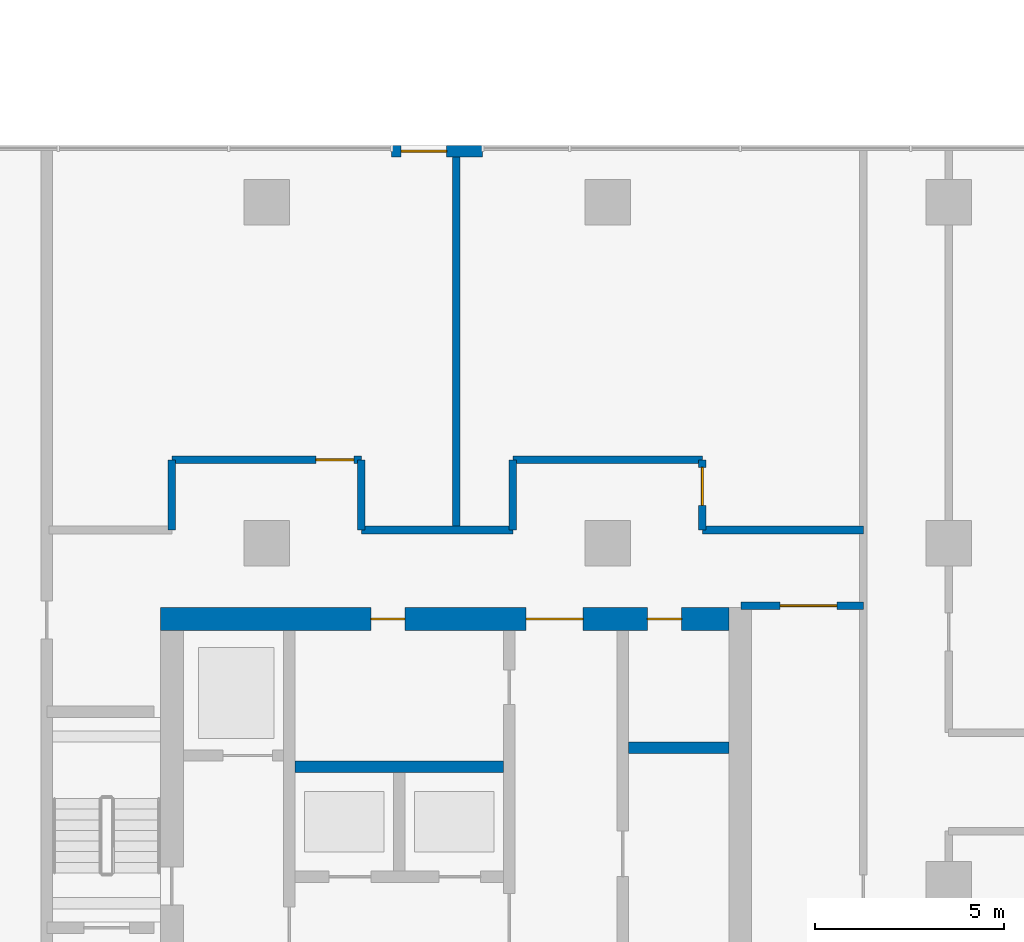
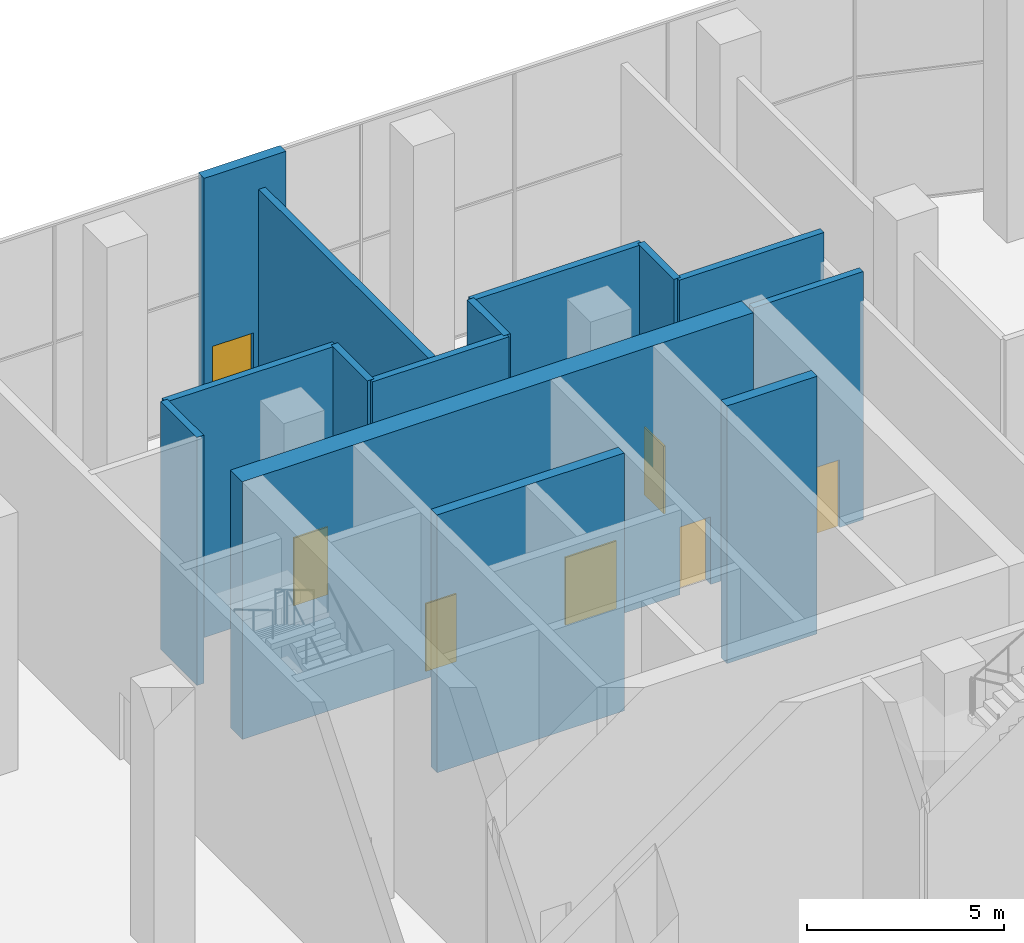
# One storey, part 34 of 54: 14 walls, 7 doors, 7 openings.
"""IFC4 building model written with IfcOpenShell, lengths in metres."""

import ifcopenshell
import ifcopenshell.guid

model = None  # the IFC model being written
_history = None  # IfcOwnerHistory: only IFC2X3 demands one
_inside = {}  # id of a spatial element -> (the spatial element, [elements in it])
_under = {}  # id of a project, library or spatial element -> (it, [spatial elements below it])
_declared = {}  # id of a project -> (the project, [libraries it declares])
_typed = {}  # id of a type object -> (the type object, [elements of that type])
_made_of = {}  # id of a material, layer set ... -> (it, [elements and type objects made of it])


def new_model(schema):
    """Start an empty IFC model of exactly this schema.

    Asked for "IFC4X3", IfcOpenShell would pick the latest addendum, in which some entities
    have other attributes; the version numbers below select the first issue.
    IFC2X3 requires an IfcOwnerHistory on every rooted entity: one is made here for all.
    """
    global model, _history
    if schema == "IFC4X3":
        model = ifcopenshell.file(schema_version=(4, 3, 0, 0))
    else:
        model = ifcopenshell.file(schema=schema)
    _inside.clear()
    _under.clear()
    _declared.clear()
    _typed.clear()
    _made_of.clear()
    _history = None
    if model.schema == "IFC2X3":
        org = make("IfcOrganization", Name="unknown")
        user = make(
            "IfcPersonAndOrganization",
            ThePerson=make("IfcPerson", FamilyName="unknown"),
            TheOrganization=org,
        )
        app = make(
            "IfcApplication",
            ApplicationDeveloper=org,
            Version="unknown",
            ApplicationFullName="unknown",
            ApplicationIdentifier="unknown",
        )
        _history = make(
            "IfcOwnerHistory",
            OwningUser=user,
            OwningApplication=app,
            ChangeAction="ADDED",
            CreationDate=0,
        )
    return model


def make(cls, **values):
    """One entity of the class cls with the attributes given. An attribute that is None is left unset."""
    return model.create_entity(
        cls, **{name: value for name, value in values.items() if value is not None}
    )


def rooted(cls, **values):
    """An entity with a GlobalId (a new one), such as an element, a storey or a relation."""
    return make(cls, GlobalId=ifcopenshell.guid.new(), OwnerHistory=_history, **values)


def si_unit(unit_type, name, prefix=None):
    """IfcSIUnit, for example si_unit("LENGTHUNIT", "METRE", prefix="MILLI")."""
    return make("IfcSIUnit", UnitType=unit_type, Prefix=prefix, Name=name)


def assignment(units):
    """IfcUnitAssignment: the units of a project."""
    return None if units is None else make("IfcUnitAssignment", Units=units)


def point(xyz):
    """IfcCartesianPoint."""
    return None if xyz is None else make("IfcCartesianPoint", Coordinates=xyz)


def direction(xyz):
    """IfcDirection."""
    return None if xyz is None else make("IfcDirection", DirectionRatios=xyz)


def frame(location, z_axis=None, x_axis=None):
    """IfcAxis2Placement3D, a coordinate frame: its origin and axes. An axis left out is left unset."""
    return make(
        "IfcAxis2Placement3D",
        Location=point(location),
        Axis=direction(z_axis),
        RefDirection=direction(x_axis),
    )


def frame_2d(location, x_axis=None):
    """IfcAxis2Placement2D, a coordinate frame in the plane: its origin and x axis."""
    return make(
        "IfcAxis2Placement2D", Location=point(location), RefDirection=direction(x_axis)
    )


def origin():
    """The frame at (0, 0, 0) with its axes left unset."""
    return frame((0.0, 0.0, 0.0))


def place(relative_to, where):
    """IfcLocalPlacement: puts the frame where relative to a parent placement (None: the world)."""
    return make(
        "IfcLocalPlacement", PlacementRelTo=relative_to, RelativePlacement=where
    )


def context(
    kind, dimensions, precision=None, world=None, true_north=None, identifier=None
):
    """IfcGeometricRepresentationContext, for example the 3D "Model" context."""
    return make(
        "IfcGeometricRepresentationContext",
        ContextIdentifier=identifier,
        ContextType=kind,
        CoordinateSpaceDimension=dimensions,
        Precision=precision,
        WorldCoordinateSystem=world,
        TrueNorth=true_north,
    )


def subcontext(parent, identifier, kind, view, scale=None):
    """IfcGeometricRepresentationSubContext, for example "Body" below "Model"."""
    return make(
        "IfcGeometricRepresentationSubContext",
        ContextIdentifier=identifier,
        ContextType=kind,
        ParentContext=parent,
        TargetScale=scale,
        TargetView=view,
    )


def project(units=None, contexts=None):
    """IfcProject with its units and contexts."""
    return rooted(
        "IfcProject",
        Name="project",
        RepresentationContexts=contexts,
        UnitsInContext=assignment(units),
    )


def spatial(cls, under=None, at=None, **own):
    """A site, building, storey or space (cls), placed at a placement, below another one or the project."""
    s = rooted(cls, ObjectPlacement=at, **own)
    if under is not None:
        _under.setdefault(under.id(), (under, []))[1].append(s)
    return s


def profile(cls, at=None, kind="AREA", **sizes):
    """A parametric profile (cls). Its sizes go by their IFC names, for example OverallWidth=200.0."""
    return make(cls, ProfileType=kind, Position=at, **sizes)


def rectangle(**sizes):
    """IfcRectangleProfileDef."""
    return profile("IfcRectangleProfileDef", **sizes)


def extrude(swept, where, along, depth):
    """IfcExtrudedAreaSolid: the profile swept, set in the frame where, extruded along a direction by depth."""
    return make(
        "IfcExtrudedAreaSolid",
        SweptArea=swept,
        Position=where,
        ExtrudedDirection=direction(along),
        Depth=depth,
    )


def shape(context_of_items, identifier, shape_type, items):
    """IfcShapeRepresentation: the items that make up one representation, for example the "Body"."""
    return make(
        "IfcShapeRepresentation",
        ContextOfItems=context_of_items,
        RepresentationIdentifier=identifier,
        RepresentationType=shape_type,
        Items=items,
    )


def material(Name=None, Category=None):
    """IfcMaterial."""
    return make("IfcMaterial", Name=Name, Category=Category)


def layer(
    of_material, thickness, ventilated=None, Name=None, Category=None, Priority=None
):
    """IfcMaterialLayer: one layer of a wall or slab, of a material (None: an air gap)."""
    return make(
        "IfcMaterialLayer",
        Material=of_material,
        LayerThickness=thickness,
        IsVentilated=ventilated,
        Name=Name,
        Category=Category,
        Priority=Priority,
    )


def layer_set(layers, Name=None):
    """IfcMaterialLayerSet."""
    return make("IfcMaterialLayerSet", MaterialLayers=layers, LayerSetName=Name)


def made_of(thing, what):
    """Note that an element or type object is made of a material, layer set ...; save() writes the relation."""
    if what is not None:
        _made_of.setdefault(what.id(), (what, []))[1].append(thing)
    return thing


def type_object(cls, material=None, **own):
    """A type object (cls), such as IfcWallType, which elements share."""
    return made_of(rooted(cls, **own), material)


def element(
    cls,
    number,
    at=None,
    inside=None,
    cuts=None,
    type_object=None,
    material=None,
    context=None,
    identifier="Body",
    shape_type=None,
    held_by="IfcProductDefinitionShape",
    body=None,
    shapes=None,
    **own,
):
    """One element of the class cls, such as IfcWall. Its Tag is "e" and its number.

    at: its placement. inside: the storey or other place that contains it. cuts: it is an
    opening in that element (IfcRelVoidsElement). A single representation is given by context,
    identifier, shape_type and body (its items); several are given by shapes. held_by: the class
    of the entity that holds the representations. save() writes the other relations.
    """
    e = rooted(cls, Tag="e%d" % number, ObjectPlacement=at, **own)
    if body is not None:
        shapes = [shape(context, identifier, shape_type, body)]
    if shapes is not None:
        e.Representation = make(held_by, Representations=shapes)
    if inside is not None:
        _inside.setdefault(inside.id(), (inside, []))[1].append(e)
    if cuts is not None:
        rooted(
            "IfcRelVoidsElement", RelatingBuildingElement=cuts, RelatedOpeningElement=e
        )
    if type_object is not None:
        _typed.setdefault(type_object.id(), (type_object, []))[1].append(e)
    return made_of(e, material)


def fill(opening, filler):
    """IfcRelFillsElement: the door or window that sits in an opening."""
    return rooted(
        "IfcRelFillsElement",
        RelatingOpeningElement=opening,
        RelatedBuildingElement=filler,
    )


def aggregate(whole, parts):
    """IfcRelAggregates: a whole, such as a stair, and the parts it consists of."""
    return rooted("IfcRelAggregates", RelatingObject=whole, RelatedObjects=parts)


def save(model, path):
    """Write the relations noted so far, then the file.

    IfcRelAggregates (storeys below a building ...), IfcRelContainedInSpatialStructure (elements
    in a storey), IfcRelDefinesByType, IfcRelAssociatesMaterial and IfcRelDeclares: one each for
    every whole, place, type object, material and project.
    """
    for whole, parts in _under.values():
        aggregate(whole, parts)
    for where, things in _inside.values():
        rooted(
            "IfcRelContainedInSpatialStructure",
            RelatedElements=things,
            RelatingStructure=where,
        )
    for kind, things in _typed.values():
        rooted("IfcRelDefinesByType", RelatedObjects=things, RelatingType=kind)
    for what, things in _made_of.values():
        rooted("IfcRelAssociatesMaterial", RelatedObjects=things, RelatingMaterial=what)
    for by, libraries in _declared.values():
        rooted("IfcRelDeclares", RelatingContext=by, RelatedDefinitions=libraries)
    model.write(path)


model = new_model("IFC4")

# Units and contexts
model_context = context("Model", 3, precision=1e-05, world=origin(), true_north=direction((0.0, 1.0)))
body_context = subcontext(model_context, "Body", "Model", "MODEL_VIEW")
ifc_project = project(units=[si_unit("LENGTHUNIT", "METRE"), si_unit("AREAUNIT", "SQUARE_METRE"), si_unit("VOLUMEUNIT", "CUBIC_METRE"), si_unit("PLANEANGLEUNIT", "RADIAN"), si_unit("MASSUNIT", "GRAM", prefix="KILO")], contexts=[model_context])

# Site, building, storey
site_placement = place(None, origin())
site = spatial("IfcSite", under=ifc_project, at=site_placement, CompositionType="ELEMENT")
building_placement = place(site_placement, origin())
building = spatial("IfcBuilding", under=site, at=building_placement, Name="Ogive Portal Towers", CompositionType="ELEMENT")
storey_placement = place(building_placement, origin())
storey = spatial("IfcBuildingStorey", under=building, at=storey_placement, Name="L00", CompositionType="ELEMENT", Elevation=0.0)

# Walls
ifc_material_1 = material(Name="Concrete C60/75", Category="concrete")
ifc_layer_1 = layer(ifc_material_1, 0.300048828125)
ifc_layer_set_1 = layer_set([ifc_layer_1], Name="CORE WALL 300 C60")
wall_type_1 = type_object("IfcWallType", Name="CORE WALL 300 C60", PredefinedType="SHEAR", material=ifc_layer_set_1)
wall_1_placement = place(storey_placement, frame((132.25, 33.60009765625, 0.0), z_axis=(0.0, 0.0, 1.0), x_axis=(1.0, 0.0, 0.0)))
element("IfcWall", 1, at=wall_1_placement, inside=storey, type_object=wall_type_1, Name="Tower B core wall BY3 L00", PredefinedType="SHEAR", context=body_context, shape_type="SweptSolid", body=[
    extrude(rectangle(XDim=5.5, YDim=0.300048828125, at=frame_2d((2.75, 0.0))), origin(), (0.0, 0.0, 1.0), 8.0),
])
wall_2_placement = place(storey_placement, frame((141.050048828125, 34.10009765625, 0.0), z_axis=(0.0, 0.0, 1.0), x_axis=(1.0, 0.0, 0.0)))
element("IfcWall", 2, at=wall_2_placement, inside=storey, type_object=wall_type_1, Name="Tower B core wall BY7 L00", PredefinedType="SHEAR", context=body_context, shape_type="SweptSolid", body=[
    extrude(rectangle(XDim=2.64990234375, YDim=0.300048828125, at=frame_2d((1.324951171875, 0.0))), origin(), (0.0, 0.0, 1.0), 8.0),
])

# Wall, openings, doors
ifc_layer_2 = layer(ifc_material_1, 0.60009765625)
ifc_layer_set_2 = layer_set([ifc_layer_2], Name="CORE WALL 600 C60")
wall_type_2 = type_object("IfcWallType", Name="CORE WALL 600 C60", PredefinedType="SHEAR", material=ifc_layer_set_2)
wall_3_placement = place(storey_placement, frame((128.699951171875, 37.5, 0.0), z_axis=(0.0, 0.0, 1.0), x_axis=(1.0, 0.0, 0.0)))
wall_3 = element("IfcWall", 3, at=wall_3_placement, inside=storey, type_object=wall_type_2, Name="Tower B core wall BN L00", PredefinedType="SHEAR", context=body_context, shape_type="SweptSolid", body=[
    extrude(rectangle(XDim=15.0, YDim=0.60009765625, at=frame_2d((7.5, 0.0))), origin(), (0.0, 0.0, 1.0), 8.0),
])
opening_1_placement = place(wall_3_placement, frame((9.64990234375, 0.0, 0.0)))
opening_1 = element("IfcOpeningElement", 4, at=opening_1_placement, cuts=wall_3, Name="Opening P00-049", PredefinedType="OPENING", context=body_context, shape_type="SweptSolid", body=[
    extrude(rectangle(XDim=1.5, YDim=2.10009765625, at=frame_2d((0.75, 1.050048828125))), frame((0.0, 0.31005859375, 0.0), z_axis=(0.0, -1.0, 0.0), x_axis=(1.0, 0.0, 0.0)), (0.0, 0.0, 1.0), 0.6201171875),
])
opening_2_placement = place(wall_3_placement, frame((12.85009765625, 0.0, 0.0)))
opening_2 = element("IfcOpeningElement", 5, at=opening_2_placement, cuts=wall_3, Name="Opening P00-051", PredefinedType="OPENING", context=body_context, shape_type="SweptSolid", body=[
    extrude(rectangle(XDim=0.89990234375, YDim=2.10009765625, at=frame_2d((0.449951171875, 1.050048828125))), frame((0.0, 0.31005859375, 0.0), z_axis=(0.0, -1.0, 0.0), x_axis=(1.0, 0.0, 0.0)), (0.0, 0.0, 1.0), 0.6201171875),
])
opening_3_placement = place(wall_3_placement, frame((5.550048828125, 0.0, 0.0)))
opening_3 = element("IfcOpeningElement", 6, at=opening_3_placement, cuts=wall_3, Name="Opening P00-058", PredefinedType="OPENING", context=body_context, shape_type="SweptSolid", body=[
    extrude(rectangle(XDim=0.89990234375, YDim=2.10009765625, at=frame_2d((0.449951171875, 1.050048828125))), frame((0.0, 0.31005859375, 0.0), z_axis=(0.0, -1.0, 0.0), x_axis=(1.0, 0.0, 0.0)), (0.0, 0.0, 1.0), 0.6201171875),
])
ifc_material_2 = material(Name="Steel fire door", Category="steel")
door_type_1 = type_object("IfcDoorType", Name="DT-SWING-1500x2100-FD90S", OperationType="SINGLE_SWING_LEFT", PredefinedType="DOOR", material=ifc_material_2)
door_1_placement = place(opening_1_placement, origin())
door_1 = element("IfcDoor", 7, at=door_1_placement, inside=storey, type_object=door_type_1, Name="Door P00-049", OperationType="SINGLE_SWING_RIGHT", OverallHeight=2.10009765625, OverallWidth=1.5, PredefinedType="DOOR", context=body_context, shape_type="SweptSolid", body=[
    extrude(rectangle(XDim=1.5, YDim=2.10009765625, at=frame_2d((0.75, 1.050048828125))), frame((0.0, 0.02490234375, 0.0), z_axis=(0.0, -1.0, 0.0), x_axis=(1.0, 0.0, 0.0)), (0.0, 0.0, 1.0), 0.050048828125),
])
fill(opening_1, door_1)
door_type_2 = type_object("IfcDoorType", Name="DT-SWING-900x2100-FD90S", OperationType="SINGLE_SWING_LEFT", PredefinedType="DOOR", material=ifc_material_2)
door_2_placement = place(opening_2_placement, origin())
door_2 = element("IfcDoor", 8, at=door_2_placement, inside=storey, type_object=door_type_2, Name="Riser access door P00-051", OperationType="SINGLE_SWING_RIGHT", OverallHeight=2.10009765625, OverallWidth=0.89990234375, PredefinedType="DOOR", context=body_context, shape_type="SweptSolid", body=[
    extrude(rectangle(XDim=0.89990234375, YDim=2.10009765625, at=frame_2d((0.449951171875, 1.050048828125))), frame((0.0, 0.02490234375, 0.0), z_axis=(0.0, -1.0, 0.0), x_axis=(1.0, 0.0, 0.0)), (0.0, 0.0, 1.0), 0.050048828125),
])
fill(opening_2, door_2)
door_3_placement = place(opening_3_placement, origin())
door_3 = element("IfcDoor", 9, at=door_3_placement, inside=storey, type_object=door_type_2, Name="Door P00-058", OperationType="SINGLE_SWING_LEFT", OverallHeight=2.10009765625, OverallWidth=0.89990234375, PredefinedType="DOOR", context=body_context, shape_type="SweptSolid", body=[
    extrude(rectangle(XDim=0.89990234375, YDim=2.10009765625, at=frame_2d((0.449951171875, 1.050048828125))), frame((0.0, 0.02490234375, 0.0), z_axis=(0.0, -1.0, 0.0), x_axis=(1.0, 0.0, 0.0)), (0.0, 0.0, 1.0), 0.050048828125),
])
fill(opening_3, door_3)

# Wall, opening, door
ifc_material_3 = material(Name="Limestone cladding on lightweight block wall", Category="masonry")
ifc_layer_3 = layer(ifc_material_3, 0.300048828125)
ifc_layer_set_3 = layer_set([ifc_layer_3], Name="EXTERNAL WALL 300 STONE")
wall_type_3 = type_object("IfcWallType", Name="EXTERNAL WALL 300 STONE", PredefinedType="SOLIDWALL", material=ifc_layer_set_3)
wall_4_placement = place(storey_placement, frame((134.800048828125, 49.85009765625, 0.0), z_axis=(0.0, 0.0, 1.0), x_axis=(1.0, 0.0, 0.0)))
wall_4 = element("IfcWall", 10, at=wall_4_placement, inside=storey, type_object=wall_type_3, Name="B:L00:f08:bay0", PredefinedType="SOLIDWALL", context=body_context, shape_type="SweptSolid", body=[
    extrude(rectangle(XDim=2.39990234375, YDim=0.300048828125, at=frame_2d((1.199951171875, 0.0))), origin(), (0.0, 0.0, 1.0), 7.699951171875),
])
opening_4_placement = place(wall_4_placement, frame((0.25, 0.0, 0.0)))
opening_4 = element("IfcOpeningElement", 11, at=opening_4_placement, cuts=wall_4, Name="Opening DX020", PredefinedType="OPENING", context=body_context, shape_type="SweptSolid", body=[
    extrude(rectangle(XDim=1.199951171875, YDim=2.39990234375, at=frame_2d((0.60009765625, 1.199951171875))), frame((0.0, 0.16015625, 0.0), z_axis=(0.0, -1.0, 0.0), x_axis=(1.0, 0.0, 0.0)), (0.0, 0.0, 1.0), 0.320068359375),
])
ifc_material_4 = material(Name="Steel S355", Category="steel")
door_type_3 = type_object("IfcDoorType", Name="EXIT DOOR 1200x2400", OperationType="SINGLE_SWING_LEFT", PredefinedType="DOOR", material=ifc_material_4)
door_4_placement = place(opening_4_placement, origin())
door_4 = element("IfcDoor", 12, at=door_4_placement, inside=storey, type_object=door_type_3, Name="B:L00:f08:bay0/o0", OperationType="SINGLE_SWING_LEFT", OverallHeight=2.39990234375, OverallWidth=1.199951171875, PredefinedType="DOOR", context=body_context, shape_type="SweptSolid", body=[
    extrude(rectangle(XDim=1.199951171875, YDim=2.39990234375, at=frame_2d((0.60009765625, 1.199951171875))), frame((0.0, 0.02490234375, 0.0), z_axis=(0.0, -1.0, 0.0), x_axis=(1.0, 0.0, 0.0)), (0.0, 0.0, 1.0), 0.050048828125),
])
fill(opening_4, door_4)

ifc_material_5 = material(Name="Gypsum board partition on steel studs", Category="steel")
ifc_layer_4 = layer(ifc_material_5, 0.199951171875)
ifc_layer_set_4 = layer_set([ifc_layer_4], Name="WT-PART-200-EI 60")
wall_type_4 = type_object("IfcWallType", Name="WT-PART-200-EI 60", PredefinedType="PARTITIONING", material=ifc_layer_set_4)
wall_5_placement = place(storey_placement, frame((144.02001953125, 37.85009765625, 0.0), z_axis=(0.0, 0.0, 1.0), x_axis=(1.0, 0.0, 0.0)))
wall_5 = element("IfcWall", 13, at=wall_5_placement, inside=storey, type_object=wall_type_4, Name="Wall L00:w027", PredefinedType="PARTITIONING", context=body_context, shape_type="SweptSolid", body=[
    extrude(rectangle(XDim=3.22998046875, YDim=0.199951171875, at=frame_2d((1.614990234375, 0.0))), origin(), (0.0, 0.0, 1.0), 7.699951171875),
])
opening_5_placement = place(wall_5_placement, frame((1.030029296875, 0.0, 0.0)))
opening_5 = element("IfcOpeningElement", 14, at=opening_5_placement, cuts=wall_5, Name="Opening P00-034", PredefinedType="OPENING", context=body_context, shape_type="SweptSolid", body=[
    extrude(rectangle(XDim=1.5, YDim=2.10009765625, at=frame_2d((0.75, 1.050048828125))), frame((0.0, 0.10986328125, 0.0), z_axis=(0.0, -1.0, 0.0), x_axis=(1.0, 0.0, 0.0)), (0.0, 0.0, 1.0), 0.219970703125),
])
door_type_4 = type_object("IfcDoorType", Name="DT-SWING-1500x2100-FD60S", OperationType="SINGLE_SWING_LEFT", PredefinedType="DOOR", material=ifc_material_2)
door_5_placement = place(opening_5_placement, origin())
door_5 = element("IfcDoor", 15, at=door_5_placement, inside=storey, type_object=door_type_4, Name="Door P00-034", OperationType="SINGLE_SWING_RIGHT", OverallHeight=2.10009765625, OverallWidth=1.5, PredefinedType="DOOR", context=body_context, shape_type="SweptSolid", body=[
    extrude(rectangle(XDim=1.5, YDim=2.10009765625, at=frame_2d((0.75, 1.050048828125))), frame((0.0, 0.02490234375, 0.0), z_axis=(0.0, -1.0, 0.0), x_axis=(1.0, 0.0, 0.0)), (0.0, 0.0, 1.0), 0.050048828125),
])
fill(opening_5, door_5)

# Walls
wall_6_placement = place(storey_placement, frame((134.0, 39.85009765625, 0.0), z_axis=(0.0, 0.0, 1.0), x_axis=(1.0, 0.0, 0.0)))
element("IfcWall", 16, at=wall_6_placement, inside=storey, type_object=wall_type_4, Name="Wall L00:w032", PredefinedType="PARTITIONING", context=body_context, shape_type="SweptSolid", body=[
    extrude(rectangle(XDim=4.0, YDim=0.199951171875, at=frame_2d((2.0, 0.0))), origin(), (0.0, 0.0, 1.0), 7.699951171875),
])
wall_7_placement = place(storey_placement, frame((143.0, 39.85009765625, 0.0), z_axis=(0.0, 0.0, 1.0), x_axis=(1.0, 0.0, 0.0)))
element("IfcWall", 17, at=wall_7_placement, inside=storey, type_object=wall_type_4, Name="Wall L00:w033", PredefinedType="PARTITIONING", context=body_context, shape_type="SweptSolid", body=[
    extrude(rectangle(XDim=4.25, YDim=0.199951171875, at=frame_2d((2.125, 0.0))), origin(), (0.0, 0.0, 1.0), 7.699951171875),
])

# Wall, opening, door
wall_8_placement = place(storey_placement, frame((129.0, 41.699951171875, 0.0), z_axis=(0.0, 0.0, 1.0), x_axis=(1.0, 0.0, 0.0)))
wall_8 = element("IfcWall", 18, at=wall_8_placement, inside=storey, type_object=wall_type_4, Name="Wall L00:w034", PredefinedType="PARTITIONING", context=body_context, shape_type="SweptSolid", body=[
    extrude(rectangle(XDim=5.0, YDim=0.199951171875, at=frame_2d((2.5, 0.0))), origin(), (0.0, 0.0, 1.0), 7.699951171875),
])
opening_6_placement = place(wall_8_placement, frame((3.800048828125, 0.0, 0.0)))
opening_6 = element("IfcOpeningElement", 19, at=opening_6_placement, cuts=wall_8, Name="Opening P00-042", PredefinedType="OPENING", context=body_context, shape_type="SweptSolid", body=[
    extrude(rectangle(XDim=1.0, YDim=2.10009765625, at=frame_2d((0.5, 1.050048828125))), frame((0.0, 0.10986328125, 0.0), z_axis=(0.0, -1.0, 0.0), x_axis=(1.0, 0.0, 0.0)), (0.0, 0.0, 1.0), 0.219970703125),
])
door_type_5 = type_object("IfcDoorType", Name="DT-SWING-1000x2100-FD60S", OperationType="SINGLE_SWING_LEFT", PredefinedType="DOOR", material=ifc_material_2)
door_6_placement = place(opening_6_placement, origin())
door_6 = element("IfcDoor", 20, at=door_6_placement, inside=storey, type_object=door_type_5, Name="Door P00-042", OperationType="SINGLE_SWING_RIGHT", OverallHeight=2.10009765625, OverallWidth=1.0, PredefinedType="DOOR", context=body_context, shape_type="SweptSolid", body=[
    extrude(rectangle(XDim=1.0, YDim=2.10009765625, at=frame_2d((0.5, 1.050048828125))), frame((0.0, 0.02490234375, 0.0), z_axis=(0.0, -1.0, 0.0), x_axis=(1.0, 0.0, 0.0)), (0.0, 0.0, 1.0), 0.050048828125),
])
fill(opening_6, door_6)

# Walls
wall_9_placement = place(storey_placement, frame((138.0, 41.699951171875, 0.0), z_axis=(0.0, 0.0, 1.0), x_axis=(1.0, 0.0, 0.0)))
element("IfcWall", 21, at=wall_9_placement, inside=storey, type_object=wall_type_4, Name="Wall L00:w035", PredefinedType="PARTITIONING", context=body_context, shape_type="SweptSolid", body=[
    extrude(rectangle(XDim=5.0, YDim=0.199951171875, at=frame_2d((2.5, 0.0))), origin(), (0.0, 0.0, 1.0), 7.699951171875),
])
for number, where, z_axis, x_axis, name in (
    (22, (129.0, 39.85009765625, 0.0), (0.0, 0.0, 1.0), (0.0, 1.0, 0.0), "Wall L00:w060"),
    (23, (134.0, 39.85009765625, 0.0), (0.0, 0.0, 1.0), (0.0, 1.0, 0.0), "Wall L00:w061"),
):
    element("IfcWall", number, at=place(storey_placement, frame(where, z_axis=z_axis, x_axis=x_axis)), inside=storey, type_object=wall_type_4, Name=name, PredefinedType="PARTITIONING", context=body_context, shape_type="SweptSolid", body=[
        extrude(rectangle(XDim=1.849853515625, YDim=0.199951171875, at=frame_2d((0.9248046875, 0.0))), origin(), (0.0, 0.0, 1.0), 7.699951171875),
    ])
wall_10_placement = place(storey_placement, frame((136.5, 39.85009765625, 0.0), z_axis=(0.0, 0.0, 1.0), x_axis=(0.0, 1.0, 0.0)))
element("IfcWall", 24, at=wall_10_placement, inside=storey, type_object=wall_type_4, Name="Wall L00:w062", PredefinedType="PARTITIONING", context=body_context, shape_type="SweptSolid", body=[
    extrude(rectangle(XDim=10.079833984375, YDim=0.199951171875, at=frame_2d((5.0400390625, 0.0))), origin(), (0.0, 0.0, 1.0), 6.800048828125),
])
wall_11_placement = place(storey_placement, frame((138.0, 39.85009765625, 0.0), z_axis=(0.0, 0.0, 1.0), x_axis=(0.0, 1.0, 0.0)))
element("IfcWall", 25, at=wall_11_placement, inside=storey, type_object=wall_type_4, Name="Wall L00:w063", PredefinedType="PARTITIONING", context=body_context, shape_type="SweptSolid", body=[
    extrude(rectangle(XDim=1.849853515625, YDim=0.199951171875, at=frame_2d((0.9248046875, 0.0))), origin(), (0.0, 0.0, 1.0), 7.699951171875),
])

# Wall, opening, door
wall_12_placement = place(storey_placement, frame((143.0, 39.85009765625, 0.0), z_axis=(0.0, 0.0, 1.0), x_axis=(0.0, 1.0, 0.0)))
wall_12 = element("IfcWall", 26, at=wall_12_placement, inside=storey, type_object=wall_type_4, Name="Wall L00:w065", PredefinedType="PARTITIONING", context=body_context, shape_type="SweptSolid", body=[
    extrude(rectangle(XDim=1.849853515625, YDim=0.199951171875, at=frame_2d((0.9248046875, 0.0))), origin(), (0.0, 0.0, 1.0), 7.699951171875),
])
opening_7_placement = place(wall_12_placement, frame((0.64990234375, 0.0, 0.0)))
opening_7 = element("IfcOpeningElement", 27, at=opening_7_placement, cuts=wall_12, Name="Opening P00-043", PredefinedType="OPENING", context=body_context, shape_type="SweptSolid", body=[
    extrude(rectangle(XDim=1.0, YDim=2.10009765625, at=frame_2d((0.5, 1.050048828125))), frame((0.0, 0.10986328125, 0.0), z_axis=(0.0, -1.0, 0.0), x_axis=(1.0, 0.0, 0.0)), (0.0, 0.0, 1.0), 0.219970703125),
])
door_7_placement = place(opening_7_placement, origin())
door_7 = element("IfcDoor", 28, at=door_7_placement, inside=storey, type_object=door_type_5, Name="Door P00-043", OperationType="SINGLE_SWING_LEFT", OverallHeight=2.10009765625, OverallWidth=1.0, PredefinedType="DOOR", context=body_context, shape_type="SweptSolid", body=[
    extrude(rectangle(XDim=1.0, YDim=2.10009765625, at=frame_2d((0.5, 1.050048828125))), frame((0.0, 0.02490234375, 0.0), z_axis=(0.0, -1.0, 0.0), x_axis=(1.0, 0.0, 0.0)), (0.0, 0.0, 1.0), 0.050048828125),
])
fill(opening_7, door_7)

save(model, "model.ifc")
